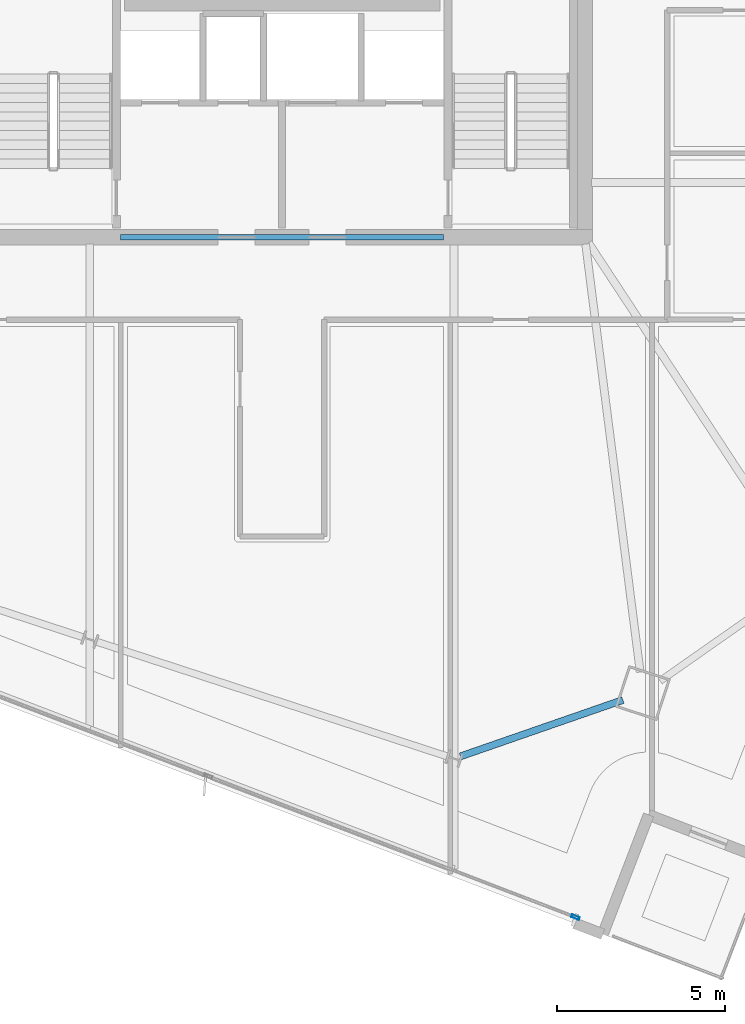
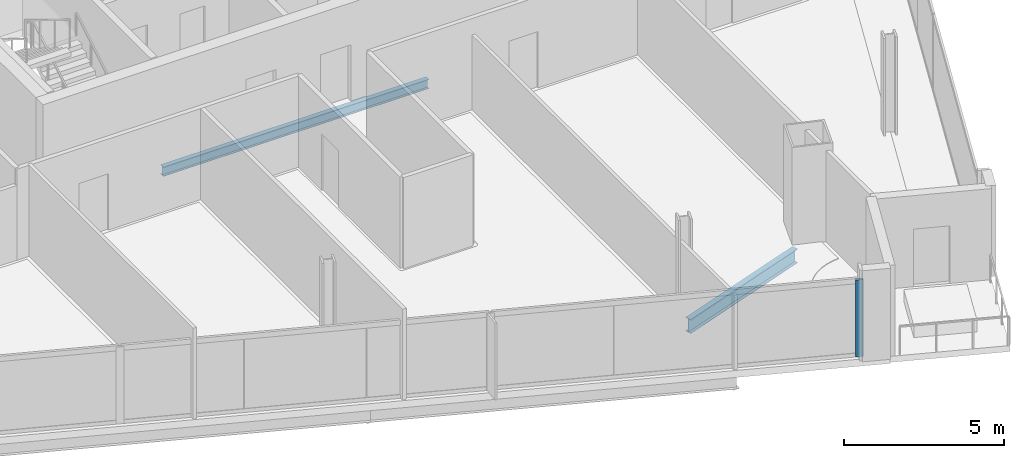
# One storey, part 7 of 27: 2 beams, 1 member, 1 element without a shape of its own.
"""IFC4 building model written with IfcOpenShell, lengths in metres."""

import ifcopenshell
import ifcopenshell.guid

model = None  # the IFC model being written
_history = None  # IfcOwnerHistory: only IFC2X3 demands one
_inside = {}  # id of a spatial element -> (the spatial element, [elements in it])
_under = {}  # id of a project, library or spatial element -> (it, [spatial elements below it])
_declared = {}  # id of a project -> (the project, [libraries it declares])
_typed = {}  # id of a type object -> (the type object, [elements of that type])
_made_of = {}  # id of a material, layer set ... -> (it, [elements and type objects made of it])


def new_model(schema):
    """Start an empty IFC model of exactly this schema.

    Asked for "IFC4X3", IfcOpenShell would pick the latest addendum, in which some entities
    have other attributes; the version numbers below select the first issue.
    IFC2X3 requires an IfcOwnerHistory on every rooted entity: one is made here for all.
    """
    global model, _history
    if schema == "IFC4X3":
        model = ifcopenshell.file(schema_version=(4, 3, 0, 0))
    else:
        model = ifcopenshell.file(schema=schema)
    _inside.clear()
    _under.clear()
    _declared.clear()
    _typed.clear()
    _made_of.clear()
    _history = None
    if model.schema == "IFC2X3":
        org = make("IfcOrganization", Name="unknown")
        user = make(
            "IfcPersonAndOrganization",
            ThePerson=make("IfcPerson", FamilyName="unknown"),
            TheOrganization=org,
        )
        app = make(
            "IfcApplication",
            ApplicationDeveloper=org,
            Version="unknown",
            ApplicationFullName="unknown",
            ApplicationIdentifier="unknown",
        )
        _history = make(
            "IfcOwnerHistory",
            OwningUser=user,
            OwningApplication=app,
            ChangeAction="ADDED",
            CreationDate=0,
        )
    return model


def make(cls, **values):
    """One entity of the class cls with the attributes given. An attribute that is None is left unset."""
    return model.create_entity(
        cls, **{name: value for name, value in values.items() if value is not None}
    )


def rooted(cls, **values):
    """An entity with a GlobalId (a new one), such as an element, a storey or a relation."""
    return make(cls, GlobalId=ifcopenshell.guid.new(), OwnerHistory=_history, **values)


def si_unit(unit_type, name, prefix=None):
    """IfcSIUnit, for example si_unit("LENGTHUNIT", "METRE", prefix="MILLI")."""
    return make("IfcSIUnit", UnitType=unit_type, Prefix=prefix, Name=name)


def assignment(units):
    """IfcUnitAssignment: the units of a project."""
    return None if units is None else make("IfcUnitAssignment", Units=units)


def point(xyz):
    """IfcCartesianPoint."""
    return None if xyz is None else make("IfcCartesianPoint", Coordinates=xyz)


def direction(xyz):
    """IfcDirection."""
    return None if xyz is None else make("IfcDirection", DirectionRatios=xyz)


def frame(location, z_axis=None, x_axis=None):
    """IfcAxis2Placement3D, a coordinate frame: its origin and axes. An axis left out is left unset."""
    return make(
        "IfcAxis2Placement3D",
        Location=point(location),
        Axis=direction(z_axis),
        RefDirection=direction(x_axis),
    )


def frame_2d(location, x_axis=None):
    """IfcAxis2Placement2D, a coordinate frame in the plane: its origin and x axis."""
    return make(
        "IfcAxis2Placement2D", Location=point(location), RefDirection=direction(x_axis)
    )


def origin():
    """The frame at (0, 0, 0) with its axes left unset."""
    return frame((0.0, 0.0, 0.0))


def origin_2d():
    """The frame at (0, 0) in the plane with its x axis left unset."""
    return frame_2d((0.0, 0.0))


def place(relative_to, where):
    """IfcLocalPlacement: puts the frame where relative to a parent placement (None: the world)."""
    return make(
        "IfcLocalPlacement", PlacementRelTo=relative_to, RelativePlacement=where
    )


def context(
    kind, dimensions, precision=None, world=None, true_north=None, identifier=None
):
    """IfcGeometricRepresentationContext, for example the 3D "Model" context."""
    return make(
        "IfcGeometricRepresentationContext",
        ContextIdentifier=identifier,
        ContextType=kind,
        CoordinateSpaceDimension=dimensions,
        Precision=precision,
        WorldCoordinateSystem=world,
        TrueNorth=true_north,
    )


def subcontext(parent, identifier, kind, view, scale=None):
    """IfcGeometricRepresentationSubContext, for example "Body" below "Model"."""
    return make(
        "IfcGeometricRepresentationSubContext",
        ContextIdentifier=identifier,
        ContextType=kind,
        ParentContext=parent,
        TargetScale=scale,
        TargetView=view,
    )


def project(units=None, contexts=None):
    """IfcProject with its units and contexts."""
    return rooted(
        "IfcProject",
        Name="project",
        RepresentationContexts=contexts,
        UnitsInContext=assignment(units),
    )


def spatial(cls, under=None, at=None, **own):
    """A site, building, storey or space (cls), placed at a placement, below another one or the project."""
    s = rooted(cls, ObjectPlacement=at, **own)
    if under is not None:
        _under.setdefault(under.id(), (under, []))[1].append(s)
    return s


def profile(cls, at=None, kind="AREA", **sizes):
    """A parametric profile (cls). Its sizes go by their IFC names, for example OverallWidth=200.0."""
    return make(cls, ProfileType=kind, Position=at, **sizes)


def hollow_rectangle(**sizes):
    """IfcRectangleHollowProfileDef."""
    return profile("IfcRectangleHollowProfileDef", **sizes)


def i_section(**sizes):
    """IfcIShapeProfileDef."""
    return profile("IfcIShapeProfileDef", **sizes)


def extrude(swept, where, along, depth):
    """IfcExtrudedAreaSolid: the profile swept, set in the frame where, extruded along a direction by depth."""
    return make(
        "IfcExtrudedAreaSolid",
        SweptArea=swept,
        Position=where,
        ExtrudedDirection=direction(along),
        Depth=depth,
    )


def shape(context_of_items, identifier, shape_type, items):
    """IfcShapeRepresentation: the items that make up one representation, for example the "Body"."""
    return make(
        "IfcShapeRepresentation",
        ContextOfItems=context_of_items,
        RepresentationIdentifier=identifier,
        RepresentationType=shape_type,
        Items=items,
    )


def material(Name=None, Category=None):
    """IfcMaterial."""
    return make("IfcMaterial", Name=Name, Category=Category)


def material_profile(
    of_material, cross_section, Name=None, Category=None, Priority=None
):
    """IfcMaterialProfile: a cross section and its material."""
    return make(
        "IfcMaterialProfile",
        Name=Name,
        Material=of_material,
        Profile=cross_section,
        Priority=Priority,
        Category=Category,
    )


def profile_set(profiles, Name=None, composite=None):
    """IfcMaterialProfileSet."""
    return make(
        "IfcMaterialProfileSet",
        Name=Name,
        MaterialProfiles=profiles,
        CompositeProfile=composite,
    )


def made_of(thing, what):
    """Note that an element or type object is made of a material, layer set ...; save() writes the relation."""
    if what is not None:
        _made_of.setdefault(what.id(), (what, []))[1].append(thing)
    return thing


def type_object(cls, material=None, **own):
    """A type object (cls), such as IfcWallType, which elements share."""
    return made_of(rooted(cls, **own), material)


def element(
    cls,
    number,
    at=None,
    inside=None,
    cuts=None,
    type_object=None,
    material=None,
    context=None,
    identifier="Body",
    shape_type=None,
    held_by="IfcProductDefinitionShape",
    body=None,
    shapes=None,
    **own,
):
    """One element of the class cls, such as IfcWall. Its Tag is "e" and its number.

    at: its placement. inside: the storey or other place that contains it. cuts: it is an
    opening in that element (IfcRelVoidsElement). A single representation is given by context,
    identifier, shape_type and body (its items); several are given by shapes. held_by: the class
    of the entity that holds the representations. save() writes the other relations.
    """
    e = rooted(cls, Tag="e%d" % number, ObjectPlacement=at, **own)
    if body is not None:
        shapes = [shape(context, identifier, shape_type, body)]
    if shapes is not None:
        e.Representation = make(held_by, Representations=shapes)
    if inside is not None:
        _inside.setdefault(inside.id(), (inside, []))[1].append(e)
    if cuts is not None:
        rooted(
            "IfcRelVoidsElement", RelatingBuildingElement=cuts, RelatedOpeningElement=e
        )
    if type_object is not None:
        _typed.setdefault(type_object.id(), (type_object, []))[1].append(e)
    return made_of(e, material)


def aggregate(whole, parts):
    """IfcRelAggregates: a whole, such as a stair, and the parts it consists of."""
    return rooted("IfcRelAggregates", RelatingObject=whole, RelatedObjects=parts)


def save(model, path):
    """Write the relations noted so far, then the file.

    IfcRelAggregates (storeys below a building ...), IfcRelContainedInSpatialStructure (elements
    in a storey), IfcRelDefinesByType, IfcRelAssociatesMaterial and IfcRelDeclares: one each for
    every whole, place, type object, material and project.
    """
    for whole, parts in _under.values():
        aggregate(whole, parts)
    for where, things in _inside.values():
        rooted(
            "IfcRelContainedInSpatialStructure",
            RelatedElements=things,
            RelatingStructure=where,
        )
    for kind, things in _typed.values():
        rooted("IfcRelDefinesByType", RelatedObjects=things, RelatingType=kind)
    for what, things in _made_of.values():
        rooted("IfcRelAssociatesMaterial", RelatedObjects=things, RelatingMaterial=what)
    for by, libraries in _declared.values():
        rooted("IfcRelDeclares", RelatingContext=by, RelatedDefinitions=libraries)
    model.write(path)


model = new_model("IFC4")

# Units and contexts
model_context = context("Model", 3, precision=1e-05, world=origin(), true_north=direction((0.0, 1.0)))
body_context = subcontext(model_context, "Body", "Model", "MODEL_VIEW")
ifc_project = project(units=[si_unit("LENGTHUNIT", "METRE"), si_unit("AREAUNIT", "SQUARE_METRE"), si_unit("VOLUMEUNIT", "CUBIC_METRE"), si_unit("PLANEANGLEUNIT", "RADIAN"), si_unit("MASSUNIT", "GRAM", prefix="KILO")], contexts=[model_context])

# Site, building, storey
site_placement = place(None, origin())
site = spatial("IfcSite", under=ifc_project, at=site_placement, CompositionType="ELEMENT")
building_placement = place(site_placement, origin())
building = spatial("IfcBuilding", under=site, at=building_placement, Name="Haldenkirk Collegiate Tower", CompositionType="ELEMENT")
storey_placement = place(building_placement, frame((0.0, 0.0, 259.949951171875)))
storey = spatial("IfcBuildingStorey", under=building, at=storey_placement, Name="L65", CompositionType="ELEMENT", Elevation=259.949951171875)

# Beams
ifc_material_1 = material(Name="Steel ASTM A992 Grade 50", Category="steel")
ifc_material_profile_1 = material_profile(ifc_material_1, i_section(OverallWidth=0.1708984375, OverallDepth=0.35595703125, WebThickness=0.007080078125, FlangeThickness=0.01171875, at=origin_2d()), Name="W14X34")
ifc_profile_set_1 = profile_set([ifc_material_profile_1], Name="Steel ASTM A992 Grade 50")
beam_type_1 = type_object("IfcBeamType", Name="BM-LINTEL-W14X34", PredefinedType="LINTEL", material=ifc_profile_set_1)
beam_1_placement = place(storey_placement, frame((31.199951171875, 18.0, -0.447998046875), z_axis=(1.0, 0.0, 0.0), x_axis=(0.0, 1.0, 0.0)))
element("IfcBeam", 1, at=beam_1_placement, inside=storey, type_object=beam_type_1, Name="L65 south core coupling lintel", PredefinedType="LINTEL", context=body_context, shape_type="SweptSolid", body=[
    extrude(i_section(OverallWidth=0.1708984375, OverallDepth=0.35595703125, WebThickness=0.007080078125, FlangeThickness=0.01171875, at=origin_2d()), origin(), (0.0, 0.0, 1.0), 9.60009765625),
])
ifc_material_profile_2 = material_profile(ifc_material_1, i_section(OverallWidth=0.2099609375, OverallDepth=0.537109375, WebThickness=0.010986328125, FlangeThickness=0.017333984375, at=origin_2d()), Name="W21X68")
ifc_profile_set_2 = profile_set([ifc_material_profile_2], Name="Steel ASTM A992 Grade 50")
beam_type_2 = type_object("IfcBeamType", Name="BM-SPANDREL-W21X68", PredefinedType="SPANDREL", material=ifc_profile_set_2)
beam_2_placement = place(storey_placement, frame((41.302490234375, 2.56103515625, -0.538330078125), z_axis=(0.944700169719, 0.327935343221, 0.0), x_axis=(-0.327935343221, 0.944700169719, 0.0)))
element("IfcBeam", 2, at=beam_2_placement, inside=storey, type_object=beam_type_2, Name="L65 perimeter spandrel beam 16", PredefinedType="SPANDREL", context=body_context, shape_type="SweptSolid", body=[
    extrude(i_section(OverallWidth=0.2099609375, OverallDepth=0.537109375, WebThickness=0.010986328125, FlangeThickness=0.017333984375, at=origin_2d()), origin(), (0.0, 0.0, 1.0), 5.113037109375),
])

# Curtain wall, member
ifc_material_2 = material(Name="Anodised architectural bronze aluminium", Category="aluminium")
curtain_wall_type = type_object("IfcCurtainWallType", Name="CW-SYS1B-CONVEX-HI", PredefinedType="USERDEFINED", material=ifc_material_2)
curtain_wall_placement = place(storey_placement, origin())
curtain_wall = element("IfcCurtainWall", 3, at=curtain_wall_placement, inside=storey, type_object=curtain_wall_type, Name="L65 Upper tower high-wind convex bronze unitised curtain wall", ObjectType="UNITISED CURTAIN WALL", PredefinedType="USERDEFINED")
ifc_material_profile_3 = material_profile(ifc_material_2, hollow_rectangle(XDim=0.0849609375, YDim=0.25, WallThickness=0.0048828125, at=origin_2d()), Name="CW-MUL-1B")
ifc_profile_set_3 = profile_set([ifc_material_profile_3], Name="Anodised architectural bronze aluminium")
member_type = type_object("IfcMemberType", Name="CW-MUL-1B", PredefinedType="MULLION", material=ifc_profile_set_3)
member_placement = place(storey_placement, frame((44.7236328125, -2.220703125, 0.0), z_axis=(0.0, 0.0, 1.0), x_axis=(-0.358369437176, -0.933579855448, 0.0)))
member = element("IfcMember", 4, at=member_placement, type_object=member_type, Name="CW-1B mullion 1", PredefinedType="MULLION", context=body_context, shape_type="SweptSolid", body=[
    extrude(hollow_rectangle(XDim=0.0849609375, YDim=0.25, WallThickness=0.0048828125, at=origin_2d()), origin(), (0.0, 0.0, 1.0), 2.93798828125),
])
aggregate(curtain_wall, [member])

save(model, "model.ifc")
